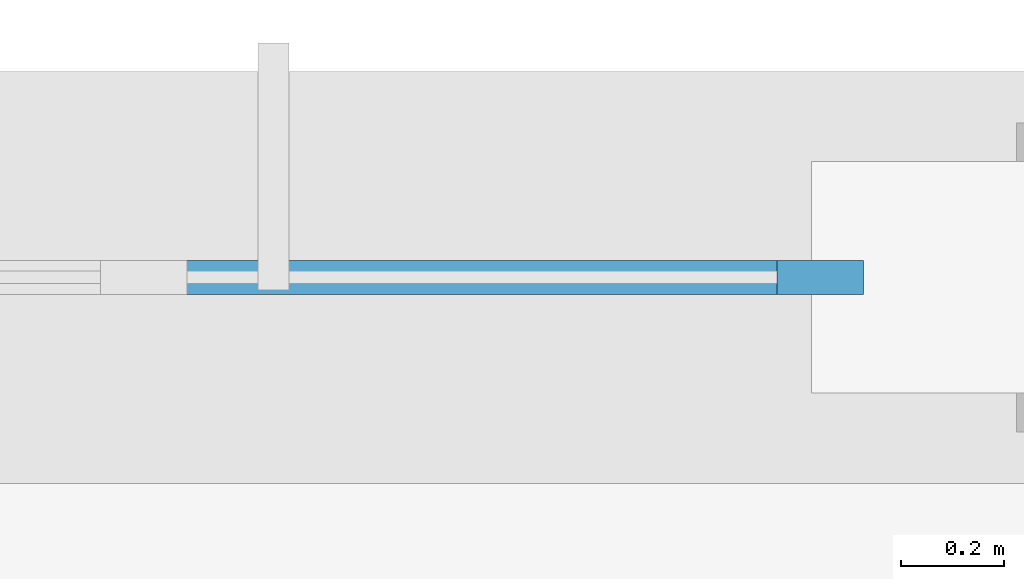
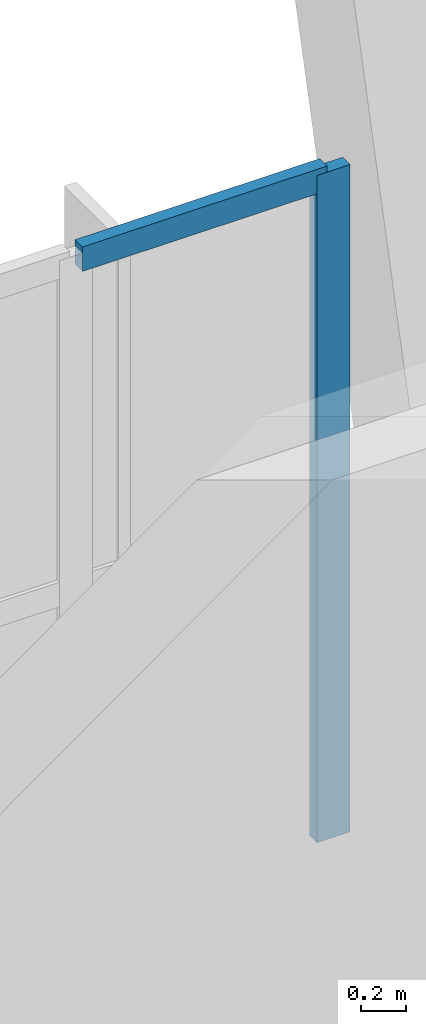
# One storey, part 18 of 81: 2 members, 1 element without a shape of its own.
"""IFC4 building model written with IfcOpenShell, lengths in metres."""

from ifc_helpers import new_model, si_unit, direction, frame, origin, origin_2d, place, context, subcontext, project, spatial, rectangle, extrude, material, material_profile, profile_set, type_object, element, aggregate, save


model = new_model("IFC4")

# Units and contexts
model_context = context("Model", 3, precision=1e-05, world=origin(), true_north=direction((0.0, 1.0)))
body_context = subcontext(model_context, "Body", "Model", "MODEL_VIEW")
ifc_project = project(units=[si_unit("LENGTHUNIT", "METRE"), si_unit("AREAUNIT", "SQUARE_METRE"), si_unit("VOLUMEUNIT", "CUBIC_METRE"), si_unit("PLANEANGLEUNIT", "RADIAN"), si_unit("MASSUNIT", "GRAM", prefix="KILO")], contexts=[model_context])

# Site, building, storey
site_placement = place(None, origin())
site = spatial("IfcSite", under=ifc_project, at=site_placement, CompositionType="ELEMENT")
building_placement = place(site_placement, origin())
building = spatial("IfcBuilding", under=site, at=building_placement, Name="Vourika Railside Aquatics Centre", CompositionType="ELEMENT")
storey_placement = place(building_placement, frame((0.0, 0.0, 4.800048828125)))
storey = spatial("IfcBuildingStorey", under=building, at=storey_placement, Name="L01", CompositionType="ELEMENT", Elevation=4.800048828125)

# Curtain wall, members
ifc_material_1 = material(Name="Anodized thermally broken aluminium", Category="aluminium")
curtain_wall_type = type_object("IfcCurtainWallType", Name="CW-CRT1", PredefinedType="NOTDEFINED", material=ifc_material_1)
curtain_wall_placement = place(storey_placement, origin())
curtain_wall = element("IfcCurtainWall", 1, at=curtain_wall_placement, inside=storey, type_object=curtain_wall_type, Name="Spectator Concourse Courtyard Curtain Wall 8", PredefinedType="NOTDEFINED")
ifc_material_2 = material(Name="Anodized aluminium mullion", Category="aluminium")
ifc_material_profile_1 = material_profile(ifc_material_2, rectangle(XDim=0.06591796875, YDim=0.16796875, at=origin_2d()), Name="ALU-M 66x168")
ifc_profile_set_1 = profile_set([ifc_material_profile_1], Name="Anodized aluminium mullion")
member_type_1 = type_object("IfcMemberType", Name="CWM-CRT1", PredefinedType="MULLION", material=ifc_profile_set_1)
member_1_placement = place(storey_placement, frame((94.217041015625, 66.0, 0.0), z_axis=(0.0, 0.0, 1.0), x_axis=(0.0, -1.0, 0.0)))
member_1 = element("IfcMember", 2, at=member_1_placement, type_object=member_type_1, Name="CW13 mullion 1", PredefinedType="MULLION", context=body_context, shape_type="SweptSolid", body=[
    extrude(rectangle(XDim=0.06591796875, YDim=0.16796875, at=origin_2d()), origin(), (0.0, 0.0, 1.0), 3.599853515625),
])
ifc_material_3 = material(Name="Anodized aluminium transom", Category="aluminium")
ifc_material_profile_2 = material_profile(ifc_material_3, rectangle(XDim=0.06591796875, YDim=0.132080078125, at=origin_2d()), Name="ALU-T 66x132")
ifc_profile_set_2 = profile_set([ifc_material_profile_2], Name="Anodized aluminium transom")
member_type_2 = type_object("IfcMemberType", Name="CWT-CRT1", PredefinedType="USERDEFINED", material=ifc_profile_set_2)
member_2_placement = place(storey_placement, frame((94.18408203125, 66.0, 3.56689453125), z_axis=(-1.0, 0.0, 0.0), x_axis=(0.0, -1.0, 0.0)))
member_2 = element("IfcMember", 3, at=member_2_placement, type_object=member_type_2, Name="CW13 transom 1.3", ObjectType="TRANSOM", PredefinedType="USERDEFINED", context=body_context, shape_type="SweptSolid", body=[
    extrude(rectangle(XDim=0.06591796875, YDim=0.132080078125, at=origin_2d()), origin(), (0.0, 0.0, 1.0), 1.24853515625),
])
aggregate(curtain_wall, [member_1, member_2])

save(model, "model.ifc")
